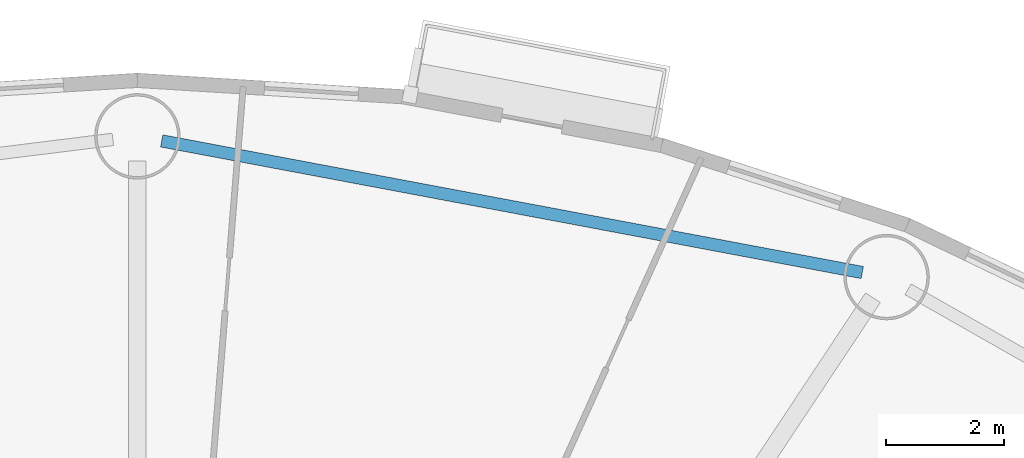
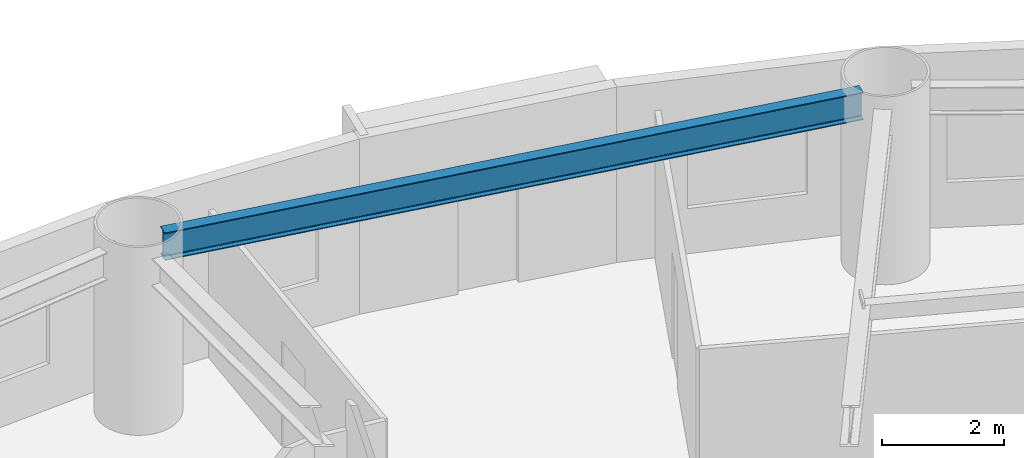
# One storey, part 5 of 21: 1 beam.
"""IFC4 building model written with IfcOpenShell, lengths in metres."""

from ifc_helpers import new_model, si_unit, direction, frame, origin, origin_2d, place, context, subcontext, project, spatial, i_section, extrude, material, material_profile, profile_set, type_object, element, save


model = new_model("IFC4")

# Units and contexts
model_context = context("Model", 3, precision=1e-05, world=origin(), true_north=direction((0.0, 1.0)))
body_context = subcontext(model_context, "Body", "Model", "MODEL_VIEW")
ifc_project = project(units=[si_unit("LENGTHUNIT", "METRE"), si_unit("AREAUNIT", "SQUARE_METRE"), si_unit("VOLUMEUNIT", "CUBIC_METRE"), si_unit("PLANEANGLEUNIT", "RADIAN"), si_unit("MASSUNIT", "GRAM", prefix="KILO")], contexts=[model_context])

# Site, building, storey
site_placement = place(None, origin())
site = spatial("IfcSite", under=ifc_project, at=site_placement, CompositionType="ELEMENT")
building_placement = place(site_placement, origin())
building = spatial("IfcBuilding", under=site, at=building_placement, Name="Linh Dai School and Residence Tower", CompositionType="ELEMENT")
storey_placement = place(building_placement, frame((0.0, 0.0, 134.699951171875)))
storey = spatial("IfcBuildingStorey", under=building, at=storey_placement, Name="L32", CompositionType="ELEMENT", Elevation=134.699951171875)

# Beam
ifc_material = material(Name="Structural Steel S355JR", Category="steel")
ifc_material_profile = material_profile(ifc_material, i_section(OverallWidth=0.2099609375, OverallDepth=0.550048828125, WebThickness=0.010986328125, FlangeThickness=0.01708984375, FilletRadius=0.02392578125, at=origin_2d()), Name="IPE 550")
ifc_profile_set = profile_set([ifc_material_profile], Name="Structural Steel S355JR")
beam_type = type_object("IfcBeamType", Name="BM-RB55", PredefinedType="BEAM", material=ifc_profile_set)
beam_placement = place(storey_placement, frame((48.30908203125, 46.24267578125, 3.22509765625), z_axis=(-0.982807507457, 0.184633158685, 0.0), x_axis=(-0.184633158685, -0.982807507457, 0.0)))
element("IfcBeam", 1, at=beam_placement, inside=storey, type_object=beam_type, Name="L32 Perimeter Elliptical Ring Beam 04", PredefinedType="BEAM", context=body_context, shape_type="SweptSolid", body=[
    extrude(i_section(OverallWidth=0.2099609375, OverallDepth=0.550048828125, WebThickness=0.010986328125, FlangeThickness=0.01708984375, FilletRadius=0.02392578125, at=origin_2d()), origin(), (0.0, 0.0, 1.0), 12.104248046875),
])

save(model, "model.ifc")
